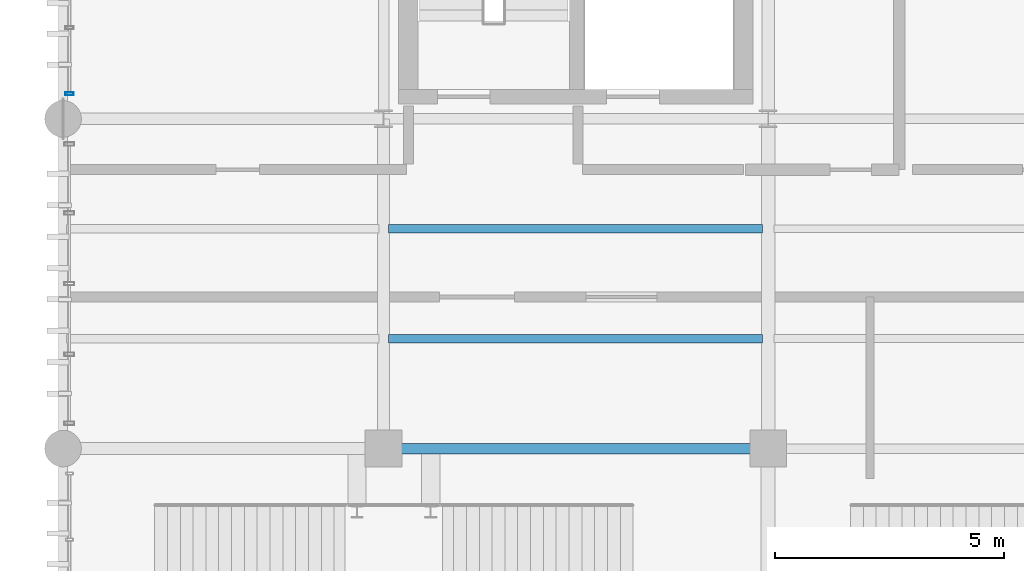
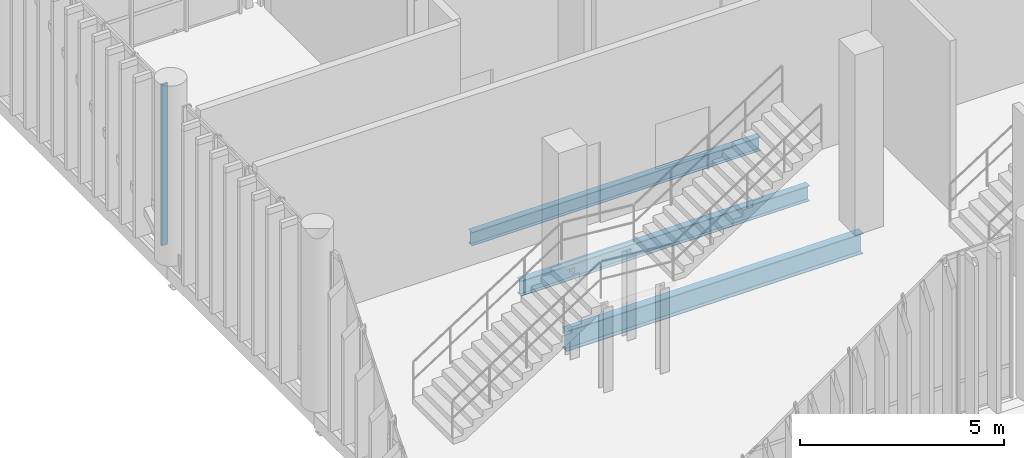
# One storey, part 29 of 128: 3 beams, 1 member, 1 element without a shape of its own.
"""IFC4 building model written with IfcOpenShell, lengths in metres."""

from ifc_helpers import new_model, si_unit, direction, frame, origin_with_axes, origin_2d_with_axis, place, context, subcontext, project, spatial, hollow_rectangle, i_section, extrude, material, material_profile, profile_set, type_object, element, aggregate, save


model = new_model("IFC4")

# Units and contexts
model_context = context("Model", 3, precision=1e-05, world=origin_with_axes(), true_north=direction((0.0, 1.0)))
body_context = subcontext(model_context, "Body", "Model", "MODEL_VIEW")
ifc_project = project(units=[si_unit("LENGTHUNIT", "METRE"), si_unit("AREAUNIT", "SQUARE_METRE"), si_unit("VOLUMEUNIT", "CUBIC_METRE"), si_unit("PLANEANGLEUNIT", "RADIAN"), si_unit("MASSUNIT", "GRAM", prefix="KILO"), si_unit("THERMODYNAMICTEMPERATUREUNIT", "KELVIN")], contexts=[model_context])

# Site, building, storey
site_placement = place(None, origin_with_axes())
site = spatial("IfcSite", under=ifc_project, at=site_placement, CompositionType="ELEMENT")
building_placement = place(site_placement, origin_with_axes())
building = spatial("IfcBuilding", under=site, at=building_placement, Name="Montbau Bow Law Courts", CompositionType="ELEMENT")
storey_placement = place(building_placement, frame((0.0, 0.0, 5.4), z_axis=(0.0, 0.0, 1.0), x_axis=(1.0, 0.0, 0.0)))
storey = spatial("IfcBuildingStorey", under=building, at=storey_placement, Name="L01", CompositionType="ELEMENT", Elevation=5.4)

# Beams
ifc_material_1 = material(Name="Steel CSA G40.21 Grade 350W (350 MPa)", Category="steel")
ifc_material_profile_1 = material_profile(ifc_material_1, i_section(OverallWidth=0.229, OverallDepth=0.612, WebThickness=0.0119, FlangeThickness=0.0196, at=origin_2d_with_axis()), Name="W610X125", Category="Main", Priority=0)
ifc_profile_set_1 = profile_set([ifc_material_profile_1], Name="Steel CSA G40.21 Grade 350W (350 MPa)")
beam_type_1 = type_object("IfcBeamType", Name="B-FLR-05", PredefinedType="BEAM", material=ifc_profile_set_1)
beam_1_placement = place(None, frame((13.8, 39.0, 4.854), z_axis=(1.0, 0.0, 0.0), x_axis=(0.0, 1.0, 0.0)))
element("IfcBeam", 1, at=beam_1_placement, inside=storey, type_object=beam_type_1, Name="BM-L01-S0520:bm2_0523", PredefinedType="BEAM", context=body_context, shape_type="SweptSolid", body=[
    extrude(i_section(OverallWidth=0.229, OverallDepth=0.612, WebThickness=0.0119, FlangeThickness=0.0196, at=origin_2d_with_axis()), origin_with_axes(), (0.0, 0.0, 1.0), 8.4),
])
ifc_material_profile_2 = material_profile(ifc_material_1, i_section(OverallWidth=0.191, OverallDepth=0.46, WebThickness=0.0099, FlangeThickness=0.016, at=origin_2d_with_axis()), Name="W460X82", Category="Main", Priority=0)
ifc_profile_set_2 = profile_set([ifc_material_profile_2], Name="Steel CSA G40.21 Grade 350W (350 MPa)")
beam_type_2 = type_object("IfcBeamType", Name="B-JST-01", PredefinedType="JOIST", material=ifc_profile_set_2)
beam_2_placement = place(None, frame((13.903, 41.4, 4.93), z_axis=(1.0, 0.0, 0.0), x_axis=(0.0, 1.0, 0.0)))
element("IfcBeam", 2, at=beam_2_placement, inside=storey, type_object=beam_type_2, Name="JST-L01-S0252:jst2_0252", PredefinedType="JOIST", context=body_context, shape_type="SweptSolid", body=[
    extrude(i_section(OverallWidth=0.191, OverallDepth=0.46, WebThickness=0.0099, FlangeThickness=0.016, at=origin_2d_with_axis()), origin_with_axes(), (0.0, 0.0, 1.0), 8.175),
])
ifc_material_profile_3 = material_profile(ifc_material_1, i_section(OverallWidth=0.179, OverallDepth=0.41, WebThickness=0.0088, FlangeThickness=0.0144, at=origin_2d_with_axis()), Name="W410X67", Category="Main", Priority=0)
ifc_profile_set_3 = profile_set([ifc_material_profile_3], Name="Steel CSA G40.21 Grade 350W (350 MPa)")
beam_type_3 = type_object("IfcBeamType", Name="B-JST-02", PredefinedType="JOIST", material=ifc_profile_set_3)
beam_3_placement = place(None, frame((13.903, 43.8, 4.955), z_axis=(1.0, 0.0, 0.0), x_axis=(0.0, 1.0, 0.0)))
element("IfcBeam", 3, at=beam_3_placement, inside=storey, type_object=beam_type_3, Name="JST-L01-S0253:jst2_0253", PredefinedType="JOIST", context=body_context, shape_type="SweptSolid", body=[
    extrude(i_section(OverallWidth=0.179, OverallDepth=0.41, WebThickness=0.0088, FlangeThickness=0.0144, at=origin_2d_with_axis()), origin_with_axes(), (0.0, 0.0, 1.0), 8.175),
])

# Curtain wall, member
ifc_material_2 = material(Name="Thermally Broken Extruded Aluminium AA 6063-T6", Category="aluminium")
curtain_wall_type = type_object("IfcCurtainWallType", Name="CW-TRC-01", PredefinedType="NOTDEFINED", material=ifc_material_2)
curtain_wall_placement = place(None, frame((6.94, 46.715, 5.4), z_axis=(0.0, 0.0, 1.0), x_axis=(1.0, 0.0, 0.0)))
curtain_wall = element("IfcCurtainWall", 4, at=curtain_wall_placement, inside=storey, type_object=curtain_wall_type, Name="CW-L01-028:cw_0028", PredefinedType="NOTDEFINED")
ifc_material_profile_4 = material_profile(ifc_material_2, hollow_rectangle(XDim=0.065, YDim=0.18, WallThickness=0.005, InnerFilletRadius=0.01, OuterFilletRadius=0.005, at=origin_2d_with_axis()), Name="CWM-180X65", Category="Main", Priority=0)
ifc_profile_set_4 = profile_set([ifc_material_profile_4], Name="Thermally Broken Extruded Aluminium AA 6063-T6")
member_type = type_object("IfcMemberType", Name="M-MUL-02", PredefinedType="MULLION", material=ifc_profile_set_4)
member_placement = place(None, frame((6.94, 46.748, 5.4), z_axis=(0.0, 0.0, 1.0), x_axis=(0.0, 1.0, 0.0)))
member = element("IfcMember", 5, at=member_placement, type_object=member_type, Name="CW-L01-028-M01:cw_0028_M01", PredefinedType="MULLION", context=body_context, shape_type="SweptSolid", body=[
    extrude(hollow_rectangle(XDim=0.065, YDim=0.18, WallThickness=0.005, InnerFilletRadius=0.01, OuterFilletRadius=0.005, at=origin_2d_with_axis()), origin_with_axes(), (0.0, 0.0, 1.0), 4.82),
])
aggregate(curtain_wall, [member])

save(model, "model.ifc")
